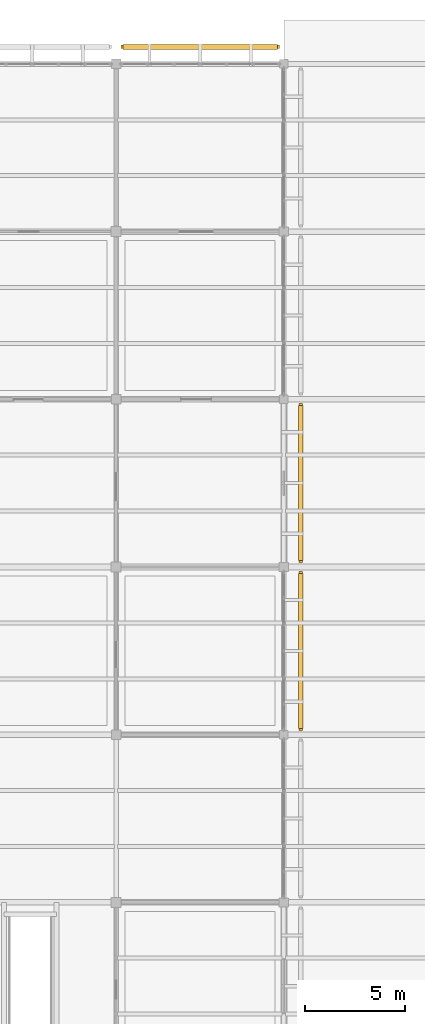
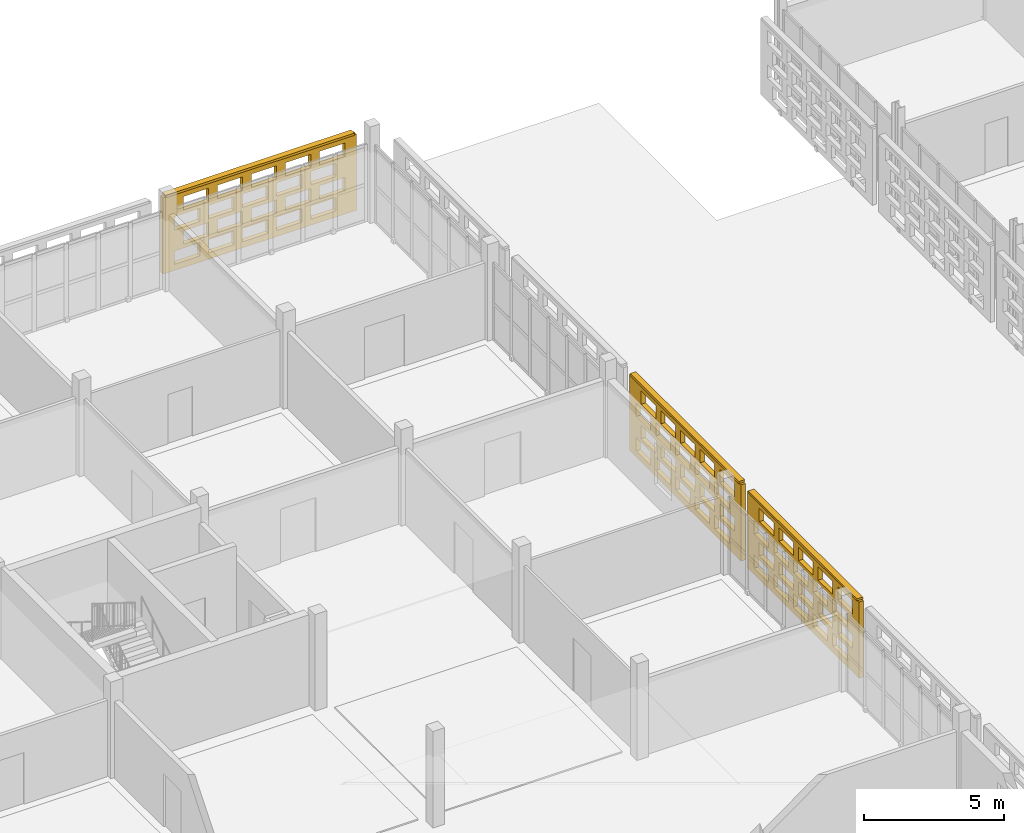
# One storey, part 136 of 166: 3 coverings, 3 shading devices, 60 openings.
"""IFC4 building model written with IfcOpenShell, lengths in metres."""

from ifc_helpers import new_model, si_unit, direction, frame, frame_2d, origin, origin_2d, place, context, subcontext, project, spatial, rectangle, extrude, material, layer, layer_set, type_object, element, save


model = new_model("IFC4")

# Units and contexts
model_context = context("Model", 3, precision=1e-05, world=origin(), true_north=direction((0.0, 1.0)))
body_context = subcontext(model_context, "Body", "Model", "MODEL_VIEW")
ifc_project = project(units=[si_unit("LENGTHUNIT", "METRE"), si_unit("AREAUNIT", "SQUARE_METRE"), si_unit("VOLUMEUNIT", "CUBIC_METRE"), si_unit("PLANEANGLEUNIT", "RADIAN"), si_unit("MASSUNIT", "GRAM", prefix="KILO")], contexts=[model_context])

# Site, building, storey
site_placement = place(None, origin())
site = spatial("IfcSite", under=ifc_project, at=site_placement, CompositionType="ELEMENT")
building_placement = place(site_placement, origin())
building = spatial("IfcBuilding", under=site, at=building_placement, Name="Varnapada Polytechnic", CompositionType="ELEMENT")
storey_placement = place(building_placement, frame((0.0, 0.0, 9.60009765625)))
storey = spatial("IfcBuildingStorey", under=building, at=storey_placement, Name="L02", CompositionType="ELEMENT", Elevation=9.60009765625)

# Covering, openings
ifc_material = material(Name="Earth-toned architectural terracotta screen block", Category="masonry")
ifc_layer_1 = layer(ifc_material, 0.1201171875)
ifc_layer_set_1 = layer_set([ifc_layer_1], Name="Earth-toned architectural terracotta screen block")
covering_type = type_object("IfcCoveringType", Name="Terracotta Screen Cladding CLD-01", PredefinedType="CLADDING", material=ifc_layer_set_1)
covering_1_placement = place(storey_placement, frame((34.449951171875, 100.570068359375, 0.0), z_axis=(0.0, 0.0, 1.0), x_axis=(0.0, -1.0, 0.0)))
covering_1 = element("IfcCovering", 1, at=covering_1_placement, inside=storey, type_object=covering_type, Name="L02 perforated terracotta block screen (29)", PredefinedType="CLADDING", context=body_context, shape_type="SweptSolid", body=[
    extrude(rectangle(XDim=7.949951171875, YDim=0.179931640625, at=frame_2d((3.97509765625, 0.0))), origin(), (0.0, 0.0, 1.0), 3.31982421875),
])
opening_1_placement = place(covering_1_placement, frame((0.47509765625, 0.0, 0.265625)))
element("IfcOpeningElement", 2, at=opening_1_placement, cuts=covering_1, Name="Screen perforation TBS-L02-028.1", PredefinedType="OPENING", context=body_context, shape_type="SweptSolid", body=[
    extrude(rectangle(XDim=1.0400390625, YDim=0.5810546875, at=frame_2d((0.52001953125, 0.29052734375))), frame((0.0, 0.099853515625, 0.0), z_axis=(0.0, -1.0, 0.0), x_axis=(1.0, 0.0, 0.0)), (0.0, 0.0, 1.0), 0.199951171875),
])
opening_2_placement = place(covering_1_placement, frame((1.875, 0.0, 0.265625)))
element("IfcOpeningElement", 3, at=opening_2_placement, cuts=covering_1, Name="Screen perforation TBS-L02-028.2", PredefinedType="OPENING", context=body_context, shape_type="SweptSolid", body=[
    extrude(rectangle(XDim=1.0400390625, YDim=0.5810546875, at=frame_2d((0.52001953125, 0.29052734375))), frame((0.0, 0.099853515625, 0.0), z_axis=(0.0, -1.0, 0.0), x_axis=(1.0, 0.0, 0.0)), (0.0, 0.0, 1.0), 0.199951171875),
])
opening_3_placement = place(covering_1_placement, frame((3.27490234375, 0.0, 0.265625)))
element("IfcOpeningElement", 4, at=opening_3_placement, cuts=covering_1, Name="Screen perforation TBS-L02-028.3", PredefinedType="OPENING", context=body_context, shape_type="SweptSolid", body=[
    extrude(rectangle(XDim=1.0400390625, YDim=0.5810546875, at=frame_2d((0.52001953125, 0.29052734375))), frame((0.0, 0.099853515625, 0.0), z_axis=(0.0, -1.0, 0.0), x_axis=(1.0, 0.0, 0.0)), (0.0, 0.0, 1.0), 0.199951171875),
])
opening_4_placement = place(covering_1_placement, frame((4.675048828125, 0.0, 0.265625)))
element("IfcOpeningElement", 5, at=opening_4_placement, cuts=covering_1, Name="Screen perforation TBS-L02-028.4", PredefinedType="OPENING", context=body_context, shape_type="SweptSolid", body=[
    extrude(rectangle(XDim=1.0400390625, YDim=0.5810546875, at=frame_2d((0.52001953125, 0.29052734375))), frame((0.0, 0.099853515625, 0.0), z_axis=(0.0, -1.0, 0.0), x_axis=(1.0, 0.0, 0.0)), (0.0, 0.0, 1.0), 0.199951171875),
])
opening_5_placement = place(covering_1_placement, frame((6.074951171875, 0.0, 0.265625)))
element("IfcOpeningElement", 6, at=opening_5_placement, cuts=covering_1, Name="Screen perforation TBS-L02-028.5", PredefinedType="OPENING", context=body_context, shape_type="SweptSolid", body=[
    extrude(rectangle(XDim=1.0400390625, YDim=0.5810546875, at=frame_2d((0.52001953125, 0.29052734375))), frame((0.0, 0.099853515625, 0.0), z_axis=(0.0, -1.0, 0.0), x_axis=(1.0, 0.0, 0.0)), (0.0, 0.0, 1.0), 0.199951171875),
])
opening_6_placement = place(covering_1_placement, frame((0.8349609375, 0.0, 1.0126953125)))
element("IfcOpeningElement", 7, at=opening_6_placement, cuts=covering_1, Name="Screen perforation TBS-L02-028.6", PredefinedType="OPENING", context=body_context, shape_type="SweptSolid", body=[
    extrude(rectangle(XDim=1.0400390625, YDim=0.5810546875, at=frame_2d((0.52001953125, 0.29052734375))), frame((0.0, 0.099853515625, 0.0), z_axis=(0.0, -1.0, 0.0), x_axis=(1.0, 0.0, 0.0)), (0.0, 0.0, 1.0), 0.199951171875),
])
opening_7_placement = place(covering_1_placement, frame((2.235107421875, 0.0, 1.0126953125)))
element("IfcOpeningElement", 8, at=opening_7_placement, cuts=covering_1, Name="Screen perforation TBS-L02-028.7", PredefinedType="OPENING", context=body_context, shape_type="SweptSolid", body=[
    extrude(rectangle(XDim=1.0400390625, YDim=0.5810546875, at=frame_2d((0.52001953125, 0.29052734375))), frame((0.0, 0.099853515625, 0.0), z_axis=(0.0, -1.0, 0.0), x_axis=(1.0, 0.0, 0.0)), (0.0, 0.0, 1.0), 0.199951171875),
])
opening_8_placement = place(covering_1_placement, frame((3.635009765625, 0.0, 1.0126953125)))
element("IfcOpeningElement", 9, at=opening_8_placement, cuts=covering_1, Name="Screen perforation TBS-L02-028.8", PredefinedType="OPENING", context=body_context, shape_type="SweptSolid", body=[
    extrude(rectangle(XDim=1.0400390625, YDim=0.5810546875, at=frame_2d((0.52001953125, 0.29052734375))), frame((0.0, 0.099853515625, 0.0), z_axis=(0.0, -1.0, 0.0), x_axis=(1.0, 0.0, 0.0)), (0.0, 0.0, 1.0), 0.199951171875),
])
opening_9_placement = place(covering_1_placement, frame((5.034912109375, 0.0, 1.0126953125)))
element("IfcOpeningElement", 10, at=opening_9_placement, cuts=covering_1, Name="Screen perforation TBS-L02-028.9", PredefinedType="OPENING", context=body_context, shape_type="SweptSolid", body=[
    extrude(rectangle(XDim=1.0400390625, YDim=0.5810546875, at=frame_2d((0.52001953125, 0.29052734375))), frame((0.0, 0.099853515625, 0.0), z_axis=(0.0, -1.0, 0.0), x_axis=(1.0, 0.0, 0.0)), (0.0, 0.0, 1.0), 0.199951171875),
])
opening_10_placement = place(covering_1_placement, frame((6.43505859375, 0.0, 1.0126953125)))
element("IfcOpeningElement", 11, at=opening_10_placement, cuts=covering_1, Name="Screen perforation TBS-L02-028.10", PredefinedType="OPENING", context=body_context, shape_type="SweptSolid", body=[
    extrude(rectangle(XDim=1.0400390625, YDim=0.5810546875, at=frame_2d((0.52001953125, 0.29052734375))), frame((0.0, 0.099853515625, 0.0), z_axis=(0.0, -1.0, 0.0), x_axis=(1.0, 0.0, 0.0)), (0.0, 0.0, 1.0), 0.199951171875),
])
opening_11_placement = place(covering_1_placement, frame((0.47509765625, 0.0, 1.759521484375)))
element("IfcOpeningElement", 12, at=opening_11_placement, cuts=covering_1, Name="Screen perforation TBS-L02-028.11", PredefinedType="OPENING", context=body_context, shape_type="SweptSolid", body=[
    extrude(rectangle(XDim=1.0400390625, YDim=0.5810546875, at=frame_2d((0.52001953125, 0.29052734375))), frame((0.0, 0.099853515625, 0.0), z_axis=(0.0, -1.0, 0.0), x_axis=(1.0, 0.0, 0.0)), (0.0, 0.0, 1.0), 0.199951171875),
])
opening_12_placement = place(covering_1_placement, frame((1.875, 0.0, 1.759521484375)))
element("IfcOpeningElement", 13, at=opening_12_placement, cuts=covering_1, Name="Screen perforation TBS-L02-028.12", PredefinedType="OPENING", context=body_context, shape_type="SweptSolid", body=[
    extrude(rectangle(XDim=1.0400390625, YDim=0.5810546875, at=frame_2d((0.52001953125, 0.29052734375))), frame((0.0, 0.099853515625, 0.0), z_axis=(0.0, -1.0, 0.0), x_axis=(1.0, 0.0, 0.0)), (0.0, 0.0, 1.0), 0.199951171875),
])
opening_13_placement = place(covering_1_placement, frame((3.27490234375, 0.0, 1.759521484375)))
element("IfcOpeningElement", 14, at=opening_13_placement, cuts=covering_1, Name="Screen perforation TBS-L02-028.13", PredefinedType="OPENING", context=body_context, shape_type="SweptSolid", body=[
    extrude(rectangle(XDim=1.0400390625, YDim=0.5810546875, at=frame_2d((0.52001953125, 0.29052734375))), frame((0.0, 0.099853515625, 0.0), z_axis=(0.0, -1.0, 0.0), x_axis=(1.0, 0.0, 0.0)), (0.0, 0.0, 1.0), 0.199951171875),
])
opening_14_placement = place(covering_1_placement, frame((4.675048828125, 0.0, 1.759521484375)))
element("IfcOpeningElement", 15, at=opening_14_placement, cuts=covering_1, Name="Screen perforation TBS-L02-028.14", PredefinedType="OPENING", context=body_context, shape_type="SweptSolid", body=[
    extrude(rectangle(XDim=1.0400390625, YDim=0.5810546875, at=frame_2d((0.52001953125, 0.29052734375))), frame((0.0, 0.099853515625, 0.0), z_axis=(0.0, -1.0, 0.0), x_axis=(1.0, 0.0, 0.0)), (0.0, 0.0, 1.0), 0.199951171875),
])
opening_15_placement = place(covering_1_placement, frame((6.074951171875, 0.0, 1.759521484375)))
element("IfcOpeningElement", 16, at=opening_15_placement, cuts=covering_1, Name="Screen perforation TBS-L02-028.15", PredefinedType="OPENING", context=body_context, shape_type="SweptSolid", body=[
    extrude(rectangle(XDim=1.0400390625, YDim=0.5810546875, at=frame_2d((0.52001953125, 0.29052734375))), frame((0.0, 0.099853515625, 0.0), z_axis=(0.0, -1.0, 0.0), x_axis=(1.0, 0.0, 0.0)), (0.0, 0.0, 1.0), 0.199951171875),
])
opening_16_placement = place(covering_1_placement, frame((0.8349609375, 0.0, 2.506591796875)))
element("IfcOpeningElement", 17, at=opening_16_placement, cuts=covering_1, Name="Screen perforation TBS-L02-028.16", PredefinedType="OPENING", context=body_context, shape_type="SweptSolid", body=[
    extrude(rectangle(XDim=1.0400390625, YDim=0.5810546875, at=frame_2d((0.52001953125, 0.29052734375))), frame((0.0, 0.099853515625, 0.0), z_axis=(0.0, -1.0, 0.0), x_axis=(1.0, 0.0, 0.0)), (0.0, 0.0, 1.0), 0.199951171875),
])
opening_17_placement = place(covering_1_placement, frame((2.235107421875, 0.0, 2.506591796875)))
element("IfcOpeningElement", 18, at=opening_17_placement, cuts=covering_1, Name="Screen perforation TBS-L02-028.17", PredefinedType="OPENING", context=body_context, shape_type="SweptSolid", body=[
    extrude(rectangle(XDim=1.0400390625, YDim=0.5810546875, at=frame_2d((0.52001953125, 0.29052734375))), frame((0.0, 0.099853515625, 0.0), z_axis=(0.0, -1.0, 0.0), x_axis=(1.0, 0.0, 0.0)), (0.0, 0.0, 1.0), 0.199951171875),
])
opening_18_placement = place(covering_1_placement, frame((3.635009765625, 0.0, 2.506591796875)))
element("IfcOpeningElement", 19, at=opening_18_placement, cuts=covering_1, Name="Screen perforation TBS-L02-028.18", PredefinedType="OPENING", context=body_context, shape_type="SweptSolid", body=[
    extrude(rectangle(XDim=1.0400390625, YDim=0.5810546875, at=frame_2d((0.52001953125, 0.29052734375))), frame((0.0, 0.099853515625, 0.0), z_axis=(0.0, -1.0, 0.0), x_axis=(1.0, 0.0, 0.0)), (0.0, 0.0, 1.0), 0.199951171875),
])
opening_19_placement = place(covering_1_placement, frame((5.034912109375, 0.0, 2.506591796875)))
element("IfcOpeningElement", 20, at=opening_19_placement, cuts=covering_1, Name="Screen perforation TBS-L02-028.19", PredefinedType="OPENING", context=body_context, shape_type="SweptSolid", body=[
    extrude(rectangle(XDim=1.0400390625, YDim=0.5810546875, at=frame_2d((0.52001953125, 0.29052734375))), frame((0.0, 0.099853515625, 0.0), z_axis=(0.0, -1.0, 0.0), x_axis=(1.0, 0.0, 0.0)), (0.0, 0.0, 1.0), 0.199951171875),
])
opening_20_placement = place(covering_1_placement, frame((6.43505859375, 0.0, 2.506591796875)))
element("IfcOpeningElement", 21, at=opening_20_placement, cuts=covering_1, Name="Screen perforation TBS-L02-028.20", PredefinedType="OPENING", context=body_context, shape_type="SweptSolid", body=[
    extrude(rectangle(XDim=1.0400390625, YDim=0.5810546875, at=frame_2d((0.52001953125, 0.29052734375))), frame((0.0, 0.099853515625, 0.0), z_axis=(0.0, -1.0, 0.0), x_axis=(1.0, 0.0, 0.0)), (0.0, 0.0, 1.0), 0.199951171875),
])

covering_2_placement = place(storey_placement, frame((34.449951171875, 108.97998046875, 0.0), z_axis=(0.0, 0.0, 1.0), x_axis=(0.0, -1.0, 0.0)))
covering_2 = element("IfcCovering", 22, at=covering_2_placement, inside=storey, type_object=covering_type, Name="L02 perforated terracotta block screen (30)", PredefinedType="CLADDING", context=body_context, shape_type="SweptSolid", body=[
    extrude(rectangle(XDim=7.949951171875, YDim=0.179931640625, at=frame_2d((3.97509765625, 0.0))), origin(), (0.0, 0.0, 1.0), 3.31982421875),
])
opening_21_placement = place(covering_2_placement, frame((0.47509765625, 0.0, 0.265625)))
element("IfcOpeningElement", 23, at=opening_21_placement, cuts=covering_2, Name="Screen perforation TBS-L02-029.1", PredefinedType="OPENING", context=body_context, shape_type="SweptSolid", body=[
    extrude(rectangle(XDim=1.0400390625, YDim=0.5810546875, at=frame_2d((0.52001953125, 0.29052734375))), frame((0.0, 0.099853515625, 0.0), z_axis=(0.0, -1.0, 0.0), x_axis=(1.0, 0.0, 0.0)), (0.0, 0.0, 1.0), 0.199951171875),
])
opening_22_placement = place(covering_2_placement, frame((1.875, 0.0, 0.265625)))
element("IfcOpeningElement", 24, at=opening_22_placement, cuts=covering_2, Name="Screen perforation TBS-L02-029.2", PredefinedType="OPENING", context=body_context, shape_type="SweptSolid", body=[
    extrude(rectangle(XDim=1.0400390625, YDim=0.5810546875, at=frame_2d((0.52001953125, 0.29052734375))), frame((0.0, 0.099853515625, 0.0), z_axis=(0.0, -1.0, 0.0), x_axis=(1.0, 0.0, 0.0)), (0.0, 0.0, 1.0), 0.199951171875),
])
opening_23_placement = place(covering_2_placement, frame((3.27490234375, 0.0, 0.265625)))
element("IfcOpeningElement", 25, at=opening_23_placement, cuts=covering_2, Name="Screen perforation TBS-L02-029.3", PredefinedType="OPENING", context=body_context, shape_type="SweptSolid", body=[
    extrude(rectangle(XDim=1.0400390625, YDim=0.5810546875, at=frame_2d((0.52001953125, 0.29052734375))), frame((0.0, 0.099853515625, 0.0), z_axis=(0.0, -1.0, 0.0), x_axis=(1.0, 0.0, 0.0)), (0.0, 0.0, 1.0), 0.199951171875),
])
opening_24_placement = place(covering_2_placement, frame((4.675048828125, 0.0, 0.265625)))
element("IfcOpeningElement", 26, at=opening_24_placement, cuts=covering_2, Name="Screen perforation TBS-L02-029.4", PredefinedType="OPENING", context=body_context, shape_type="SweptSolid", body=[
    extrude(rectangle(XDim=1.0400390625, YDim=0.5810546875, at=frame_2d((0.52001953125, 0.29052734375))), frame((0.0, 0.099853515625, 0.0), z_axis=(0.0, -1.0, 0.0), x_axis=(1.0, 0.0, 0.0)), (0.0, 0.0, 1.0), 0.199951171875),
])
opening_25_placement = place(covering_2_placement, frame((6.074951171875, 0.0, 0.265625)))
element("IfcOpeningElement", 27, at=opening_25_placement, cuts=covering_2, Name="Screen perforation TBS-L02-029.5", PredefinedType="OPENING", context=body_context, shape_type="SweptSolid", body=[
    extrude(rectangle(XDim=1.0400390625, YDim=0.5810546875, at=frame_2d((0.52001953125, 0.29052734375))), frame((0.0, 0.099853515625, 0.0), z_axis=(0.0, -1.0, 0.0), x_axis=(1.0, 0.0, 0.0)), (0.0, 0.0, 1.0), 0.199951171875),
])
opening_26_placement = place(covering_2_placement, frame((0.8349609375, 0.0, 1.0126953125)))
element("IfcOpeningElement", 28, at=opening_26_placement, cuts=covering_2, Name="Screen perforation TBS-L02-029.6", PredefinedType="OPENING", context=body_context, shape_type="SweptSolid", body=[
    extrude(rectangle(XDim=1.0400390625, YDim=0.5810546875, at=frame_2d((0.52001953125, 0.29052734375))), frame((0.0, 0.099853515625, 0.0), z_axis=(0.0, -1.0, 0.0), x_axis=(1.0, 0.0, 0.0)), (0.0, 0.0, 1.0), 0.199951171875),
])
opening_27_placement = place(covering_2_placement, frame((2.235107421875, 0.0, 1.0126953125)))
element("IfcOpeningElement", 29, at=opening_27_placement, cuts=covering_2, Name="Screen perforation TBS-L02-029.7", PredefinedType="OPENING", context=body_context, shape_type="SweptSolid", body=[
    extrude(rectangle(XDim=1.0400390625, YDim=0.5810546875, at=frame_2d((0.52001953125, 0.29052734375))), frame((0.0, 0.099853515625, 0.0), z_axis=(0.0, -1.0, 0.0), x_axis=(1.0, 0.0, 0.0)), (0.0, 0.0, 1.0), 0.199951171875),
])
opening_28_placement = place(covering_2_placement, frame((3.635009765625, 0.0, 1.0126953125)))
element("IfcOpeningElement", 30, at=opening_28_placement, cuts=covering_2, Name="Screen perforation TBS-L02-029.8", PredefinedType="OPENING", context=body_context, shape_type="SweptSolid", body=[
    extrude(rectangle(XDim=1.0400390625, YDim=0.5810546875, at=frame_2d((0.52001953125, 0.29052734375))), frame((0.0, 0.099853515625, 0.0), z_axis=(0.0, -1.0, 0.0), x_axis=(1.0, 0.0, 0.0)), (0.0, 0.0, 1.0), 0.199951171875),
])
opening_29_placement = place(covering_2_placement, frame((5.034912109375, 0.0, 1.0126953125)))
element("IfcOpeningElement", 31, at=opening_29_placement, cuts=covering_2, Name="Screen perforation TBS-L02-029.9", PredefinedType="OPENING", context=body_context, shape_type="SweptSolid", body=[
    extrude(rectangle(XDim=1.0400390625, YDim=0.5810546875, at=frame_2d((0.52001953125, 0.29052734375))), frame((0.0, 0.099853515625, 0.0), z_axis=(0.0, -1.0, 0.0), x_axis=(1.0, 0.0, 0.0)), (0.0, 0.0, 1.0), 0.199951171875),
])
opening_30_placement = place(covering_2_placement, frame((6.43505859375, 0.0, 1.0126953125)))
element("IfcOpeningElement", 32, at=opening_30_placement, cuts=covering_2, Name="Screen perforation TBS-L02-029.10", PredefinedType="OPENING", context=body_context, shape_type="SweptSolid", body=[
    extrude(rectangle(XDim=1.0400390625, YDim=0.5810546875, at=frame_2d((0.52001953125, 0.29052734375))), frame((0.0, 0.099853515625, 0.0), z_axis=(0.0, -1.0, 0.0), x_axis=(1.0, 0.0, 0.0)), (0.0, 0.0, 1.0), 0.199951171875),
])
opening_31_placement = place(covering_2_placement, frame((0.47509765625, 0.0, 1.759521484375)))
element("IfcOpeningElement", 33, at=opening_31_placement, cuts=covering_2, Name="Screen perforation TBS-L02-029.11", PredefinedType="OPENING", context=body_context, shape_type="SweptSolid", body=[
    extrude(rectangle(XDim=1.0400390625, YDim=0.5810546875, at=frame_2d((0.52001953125, 0.29052734375))), frame((0.0, 0.099853515625, 0.0), z_axis=(0.0, -1.0, 0.0), x_axis=(1.0, 0.0, 0.0)), (0.0, 0.0, 1.0), 0.199951171875),
])
opening_32_placement = place(covering_2_placement, frame((1.875, 0.0, 1.759521484375)))
element("IfcOpeningElement", 34, at=opening_32_placement, cuts=covering_2, Name="Screen perforation TBS-L02-029.12", PredefinedType="OPENING", context=body_context, shape_type="SweptSolid", body=[
    extrude(rectangle(XDim=1.0400390625, YDim=0.5810546875, at=frame_2d((0.52001953125, 0.29052734375))), frame((0.0, 0.099853515625, 0.0), z_axis=(0.0, -1.0, 0.0), x_axis=(1.0, 0.0, 0.0)), (0.0, 0.0, 1.0), 0.199951171875),
])
opening_33_placement = place(covering_2_placement, frame((3.27490234375, 0.0, 1.759521484375)))
element("IfcOpeningElement", 35, at=opening_33_placement, cuts=covering_2, Name="Screen perforation TBS-L02-029.13", PredefinedType="OPENING", context=body_context, shape_type="SweptSolid", body=[
    extrude(rectangle(XDim=1.0400390625, YDim=0.5810546875, at=frame_2d((0.52001953125, 0.29052734375))), frame((0.0, 0.099853515625, 0.0), z_axis=(0.0, -1.0, 0.0), x_axis=(1.0, 0.0, 0.0)), (0.0, 0.0, 1.0), 0.199951171875),
])
opening_34_placement = place(covering_2_placement, frame((4.675048828125, 0.0, 1.759521484375)))
element("IfcOpeningElement", 36, at=opening_34_placement, cuts=covering_2, Name="Screen perforation TBS-L02-029.14", PredefinedType="OPENING", context=body_context, shape_type="SweptSolid", body=[
    extrude(rectangle(XDim=1.0400390625, YDim=0.5810546875, at=frame_2d((0.52001953125, 0.29052734375))), frame((0.0, 0.099853515625, 0.0), z_axis=(0.0, -1.0, 0.0), x_axis=(1.0, 0.0, 0.0)), (0.0, 0.0, 1.0), 0.199951171875),
])
opening_35_placement = place(covering_2_placement, frame((6.074951171875, 0.0, 1.759521484375)))
element("IfcOpeningElement", 37, at=opening_35_placement, cuts=covering_2, Name="Screen perforation TBS-L02-029.15", PredefinedType="OPENING", context=body_context, shape_type="SweptSolid", body=[
    extrude(rectangle(XDim=1.0400390625, YDim=0.5810546875, at=frame_2d((0.52001953125, 0.29052734375))), frame((0.0, 0.099853515625, 0.0), z_axis=(0.0, -1.0, 0.0), x_axis=(1.0, 0.0, 0.0)), (0.0, 0.0, 1.0), 0.199951171875),
])
opening_36_placement = place(covering_2_placement, frame((0.8349609375, 0.0, 2.506591796875)))
element("IfcOpeningElement", 38, at=opening_36_placement, cuts=covering_2, Name="Screen perforation TBS-L02-029.16", PredefinedType="OPENING", context=body_context, shape_type="SweptSolid", body=[
    extrude(rectangle(XDim=1.0400390625, YDim=0.5810546875, at=frame_2d((0.52001953125, 0.29052734375))), frame((0.0, 0.099853515625, 0.0), z_axis=(0.0, -1.0, 0.0), x_axis=(1.0, 0.0, 0.0)), (0.0, 0.0, 1.0), 0.199951171875),
])
opening_37_placement = place(covering_2_placement, frame((2.235107421875, 0.0, 2.506591796875)))
element("IfcOpeningElement", 39, at=opening_37_placement, cuts=covering_2, Name="Screen perforation TBS-L02-029.17", PredefinedType="OPENING", context=body_context, shape_type="SweptSolid", body=[
    extrude(rectangle(XDim=1.0400390625, YDim=0.5810546875, at=frame_2d((0.52001953125, 0.29052734375))), frame((0.0, 0.099853515625, 0.0), z_axis=(0.0, -1.0, 0.0), x_axis=(1.0, 0.0, 0.0)), (0.0, 0.0, 1.0), 0.199951171875),
])
opening_38_placement = place(covering_2_placement, frame((3.635009765625, 0.0, 2.506591796875)))
element("IfcOpeningElement", 40, at=opening_38_placement, cuts=covering_2, Name="Screen perforation TBS-L02-029.18", PredefinedType="OPENING", context=body_context, shape_type="SweptSolid", body=[
    extrude(rectangle(XDim=1.0400390625, YDim=0.5810546875, at=frame_2d((0.52001953125, 0.29052734375))), frame((0.0, 0.099853515625, 0.0), z_axis=(0.0, -1.0, 0.0), x_axis=(1.0, 0.0, 0.0)), (0.0, 0.0, 1.0), 0.199951171875),
])
opening_39_placement = place(covering_2_placement, frame((5.034912109375, 0.0, 2.506591796875)))
element("IfcOpeningElement", 41, at=opening_39_placement, cuts=covering_2, Name="Screen perforation TBS-L02-029.19", PredefinedType="OPENING", context=body_context, shape_type="SweptSolid", body=[
    extrude(rectangle(XDim=1.0400390625, YDim=0.5810546875, at=frame_2d((0.52001953125, 0.29052734375))), frame((0.0, 0.099853515625, 0.0), z_axis=(0.0, -1.0, 0.0), x_axis=(1.0, 0.0, 0.0)), (0.0, 0.0, 1.0), 0.199951171875),
])
opening_40_placement = place(covering_2_placement, frame((6.43505859375, 0.0, 2.506591796875)))
element("IfcOpeningElement", 42, at=opening_40_placement, cuts=covering_2, Name="Screen perforation TBS-L02-029.20", PredefinedType="OPENING", context=body_context, shape_type="SweptSolid", body=[
    extrude(rectangle(XDim=1.0400390625, YDim=0.5810546875, at=frame_2d((0.52001953125, 0.29052734375))), frame((0.0, 0.099853515625, 0.0), z_axis=(0.0, -1.0, 0.0), x_axis=(1.0, 0.0, 0.0)), (0.0, 0.0, 1.0), 0.199951171875),
])

covering_3_placement = place(storey_placement, frame((25.43994140625, 126.85009765625, 0.0), z_axis=(0.0, 0.0, 1.0), x_axis=(1.0, 0.0, 0.0)))
covering_3 = element("IfcCovering", 43, at=covering_3_placement, inside=storey, type_object=covering_type, Name="L02 perforated terracotta block screen (32)", PredefinedType="CLADDING", context=body_context, shape_type="SweptSolid", body=[
    extrude(rectangle(XDim=7.949951171875, YDim=0.179931640625, at=frame_2d((3.97509765625, 0.0))), origin(), (0.0, 0.0, 1.0), 3.31982421875),
])
opening_41_placement = place(covering_3_placement, frame((0.47509765625, 0.0, 0.265625)))
element("IfcOpeningElement", 44, at=opening_41_placement, cuts=covering_3, Name="Screen perforation TBS-L02-031.1", PredefinedType="OPENING", context=body_context, shape_type="SweptSolid", body=[
    extrude(rectangle(XDim=1.0400390625, YDim=0.5810546875, at=frame_2d((0.52001953125, 0.29052734375))), frame((0.0, 0.099853515625, 0.0), z_axis=(0.0, -1.0, 0.0), x_axis=(1.0, 0.0, 0.0)), (0.0, 0.0, 1.0), 0.199951171875),
])
opening_42_placement = place(covering_3_placement, frame((1.875, 0.0, 0.265625)))
element("IfcOpeningElement", 45, at=opening_42_placement, cuts=covering_3, Name="Screen perforation TBS-L02-031.2", PredefinedType="OPENING", context=body_context, shape_type="SweptSolid", body=[
    extrude(rectangle(XDim=1.0400390625, YDim=0.5810546875, at=frame_2d((0.52001953125, 0.29052734375))), frame((0.0, 0.099853515625, 0.0), z_axis=(0.0, -1.0, 0.0), x_axis=(1.0, 0.0, 0.0)), (0.0, 0.0, 1.0), 0.199951171875),
])
opening_43_placement = place(covering_3_placement, frame((3.27490234375, 0.0, 0.265625)))
element("IfcOpeningElement", 46, at=opening_43_placement, cuts=covering_3, Name="Screen perforation TBS-L02-031.3", PredefinedType="OPENING", context=body_context, shape_type="SweptSolid", body=[
    extrude(rectangle(XDim=1.0400390625, YDim=0.5810546875, at=frame_2d((0.52001953125, 0.29052734375))), frame((0.0, 0.099853515625, 0.0), z_axis=(0.0, -1.0, 0.0), x_axis=(1.0, 0.0, 0.0)), (0.0, 0.0, 1.0), 0.199951171875),
])
opening_44_placement = place(covering_3_placement, frame((4.675048828125, 0.0, 0.265625)))
element("IfcOpeningElement", 47, at=opening_44_placement, cuts=covering_3, Name="Screen perforation TBS-L02-031.4", PredefinedType="OPENING", context=body_context, shape_type="SweptSolid", body=[
    extrude(rectangle(XDim=1.0400390625, YDim=0.5810546875, at=frame_2d((0.52001953125, 0.29052734375))), frame((0.0, 0.099853515625, 0.0), z_axis=(0.0, -1.0, 0.0), x_axis=(1.0, 0.0, 0.0)), (0.0, 0.0, 1.0), 0.199951171875),
])
opening_45_placement = place(covering_3_placement, frame((6.074951171875, 0.0, 0.265625)))
element("IfcOpeningElement", 48, at=opening_45_placement, cuts=covering_3, Name="Screen perforation TBS-L02-031.5", PredefinedType="OPENING", context=body_context, shape_type="SweptSolid", body=[
    extrude(rectangle(XDim=1.0400390625, YDim=0.5810546875, at=frame_2d((0.52001953125, 0.29052734375))), frame((0.0, 0.099853515625, 0.0), z_axis=(0.0, -1.0, 0.0), x_axis=(1.0, 0.0, 0.0)), (0.0, 0.0, 1.0), 0.199951171875),
])
opening_46_placement = place(covering_3_placement, frame((0.8349609375, 0.0, 1.0126953125)))
element("IfcOpeningElement", 49, at=opening_46_placement, cuts=covering_3, Name="Screen perforation TBS-L02-031.6", PredefinedType="OPENING", context=body_context, shape_type="SweptSolid", body=[
    extrude(rectangle(XDim=1.0400390625, YDim=0.5810546875, at=frame_2d((0.52001953125, 0.29052734375))), frame((0.0, 0.099853515625, 0.0), z_axis=(0.0, -1.0, 0.0), x_axis=(1.0, 0.0, 0.0)), (0.0, 0.0, 1.0), 0.199951171875),
])
opening_47_placement = place(covering_3_placement, frame((2.235107421875, 0.0, 1.0126953125)))
element("IfcOpeningElement", 50, at=opening_47_placement, cuts=covering_3, Name="Screen perforation TBS-L02-031.7", PredefinedType="OPENING", context=body_context, shape_type="SweptSolid", body=[
    extrude(rectangle(XDim=1.0400390625, YDim=0.5810546875, at=frame_2d((0.52001953125, 0.29052734375))), frame((0.0, 0.099853515625, 0.0), z_axis=(0.0, -1.0, 0.0), x_axis=(1.0, 0.0, 0.0)), (0.0, 0.0, 1.0), 0.199951171875),
])
opening_48_placement = place(covering_3_placement, frame((3.635009765625, 0.0, 1.0126953125)))
element("IfcOpeningElement", 51, at=opening_48_placement, cuts=covering_3, Name="Screen perforation TBS-L02-031.8", PredefinedType="OPENING", context=body_context, shape_type="SweptSolid", body=[
    extrude(rectangle(XDim=1.0400390625, YDim=0.5810546875, at=frame_2d((0.52001953125, 0.29052734375))), frame((0.0, 0.099853515625, 0.0), z_axis=(0.0, -1.0, 0.0), x_axis=(1.0, 0.0, 0.0)), (0.0, 0.0, 1.0), 0.199951171875),
])
opening_49_placement = place(covering_3_placement, frame((5.034912109375, 0.0, 1.0126953125)))
element("IfcOpeningElement", 52, at=opening_49_placement, cuts=covering_3, Name="Screen perforation TBS-L02-031.9", PredefinedType="OPENING", context=body_context, shape_type="SweptSolid", body=[
    extrude(rectangle(XDim=1.0400390625, YDim=0.5810546875, at=frame_2d((0.52001953125, 0.29052734375))), frame((0.0, 0.099853515625, 0.0), z_axis=(0.0, -1.0, 0.0), x_axis=(1.0, 0.0, 0.0)), (0.0, 0.0, 1.0), 0.199951171875),
])
opening_50_placement = place(covering_3_placement, frame((6.43505859375, 0.0, 1.0126953125)))
element("IfcOpeningElement", 53, at=opening_50_placement, cuts=covering_3, Name="Screen perforation TBS-L02-031.10", PredefinedType="OPENING", context=body_context, shape_type="SweptSolid", body=[
    extrude(rectangle(XDim=1.0400390625, YDim=0.5810546875, at=frame_2d((0.52001953125, 0.29052734375))), frame((0.0, 0.099853515625, 0.0), z_axis=(0.0, -1.0, 0.0), x_axis=(1.0, 0.0, 0.0)), (0.0, 0.0, 1.0), 0.199951171875),
])
opening_51_placement = place(covering_3_placement, frame((0.47509765625, 0.0, 1.759521484375)))
element("IfcOpeningElement", 54, at=opening_51_placement, cuts=covering_3, Name="Screen perforation TBS-L02-031.11", PredefinedType="OPENING", context=body_context, shape_type="SweptSolid", body=[
    extrude(rectangle(XDim=1.0400390625, YDim=0.5810546875, at=frame_2d((0.52001953125, 0.29052734375))), frame((0.0, 0.099853515625, 0.0), z_axis=(0.0, -1.0, 0.0), x_axis=(1.0, 0.0, 0.0)), (0.0, 0.0, 1.0), 0.199951171875),
])
opening_52_placement = place(covering_3_placement, frame((1.875, 0.0, 1.759521484375)))
element("IfcOpeningElement", 55, at=opening_52_placement, cuts=covering_3, Name="Screen perforation TBS-L02-031.12", PredefinedType="OPENING", context=body_context, shape_type="SweptSolid", body=[
    extrude(rectangle(XDim=1.0400390625, YDim=0.5810546875, at=frame_2d((0.52001953125, 0.29052734375))), frame((0.0, 0.099853515625, 0.0), z_axis=(0.0, -1.0, 0.0), x_axis=(1.0, 0.0, 0.0)), (0.0, 0.0, 1.0), 0.199951171875),
])
opening_53_placement = place(covering_3_placement, frame((3.27490234375, 0.0, 1.759521484375)))
element("IfcOpeningElement", 56, at=opening_53_placement, cuts=covering_3, Name="Screen perforation TBS-L02-031.13", PredefinedType="OPENING", context=body_context, shape_type="SweptSolid", body=[
    extrude(rectangle(XDim=1.0400390625, YDim=0.5810546875, at=frame_2d((0.52001953125, 0.29052734375))), frame((0.0, 0.099853515625, 0.0), z_axis=(0.0, -1.0, 0.0), x_axis=(1.0, 0.0, 0.0)), (0.0, 0.0, 1.0), 0.199951171875),
])
opening_54_placement = place(covering_3_placement, frame((4.675048828125, 0.0, 1.759521484375)))
element("IfcOpeningElement", 57, at=opening_54_placement, cuts=covering_3, Name="Screen perforation TBS-L02-031.14", PredefinedType="OPENING", context=body_context, shape_type="SweptSolid", body=[
    extrude(rectangle(XDim=1.0400390625, YDim=0.5810546875, at=frame_2d((0.52001953125, 0.29052734375))), frame((0.0, 0.099853515625, 0.0), z_axis=(0.0, -1.0, 0.0), x_axis=(1.0, 0.0, 0.0)), (0.0, 0.0, 1.0), 0.199951171875),
])
opening_55_placement = place(covering_3_placement, frame((6.074951171875, 0.0, 1.759521484375)))
element("IfcOpeningElement", 58, at=opening_55_placement, cuts=covering_3, Name="Screen perforation TBS-L02-031.15", PredefinedType="OPENING", context=body_context, shape_type="SweptSolid", body=[
    extrude(rectangle(XDim=1.0400390625, YDim=0.5810546875, at=frame_2d((0.52001953125, 0.29052734375))), frame((0.0, 0.099853515625, 0.0), z_axis=(0.0, -1.0, 0.0), x_axis=(1.0, 0.0, 0.0)), (0.0, 0.0, 1.0), 0.199951171875),
])
opening_56_placement = place(covering_3_placement, frame((0.8349609375, 0.0, 2.506591796875)))
element("IfcOpeningElement", 59, at=opening_56_placement, cuts=covering_3, Name="Screen perforation TBS-L02-031.16", PredefinedType="OPENING", context=body_context, shape_type="SweptSolid", body=[
    extrude(rectangle(XDim=1.0400390625, YDim=0.5810546875, at=frame_2d((0.52001953125, 0.29052734375))), frame((0.0, 0.099853515625, 0.0), z_axis=(0.0, -1.0, 0.0), x_axis=(1.0, 0.0, 0.0)), (0.0, 0.0, 1.0), 0.199951171875),
])
opening_57_placement = place(covering_3_placement, frame((2.235107421875, 0.0, 2.506591796875)))
element("IfcOpeningElement", 60, at=opening_57_placement, cuts=covering_3, Name="Screen perforation TBS-L02-031.17", PredefinedType="OPENING", context=body_context, shape_type="SweptSolid", body=[
    extrude(rectangle(XDim=1.0400390625, YDim=0.5810546875, at=frame_2d((0.52001953125, 0.29052734375))), frame((0.0, 0.099853515625, 0.0), z_axis=(0.0, -1.0, 0.0), x_axis=(1.0, 0.0, 0.0)), (0.0, 0.0, 1.0), 0.199951171875),
])
opening_58_placement = place(covering_3_placement, frame((3.635009765625, 0.0, 2.506591796875)))
element("IfcOpeningElement", 61, at=opening_58_placement, cuts=covering_3, Name="Screen perforation TBS-L02-031.18", PredefinedType="OPENING", context=body_context, shape_type="SweptSolid", body=[
    extrude(rectangle(XDim=1.0400390625, YDim=0.5810546875, at=frame_2d((0.52001953125, 0.29052734375))), frame((0.0, 0.099853515625, 0.0), z_axis=(0.0, -1.0, 0.0), x_axis=(1.0, 0.0, 0.0)), (0.0, 0.0, 1.0), 0.199951171875),
])
opening_59_placement = place(covering_3_placement, frame((5.034912109375, 0.0, 2.506591796875)))
element("IfcOpeningElement", 62, at=opening_59_placement, cuts=covering_3, Name="Screen perforation TBS-L02-031.19", PredefinedType="OPENING", context=body_context, shape_type="SweptSolid", body=[
    extrude(rectangle(XDim=1.0400390625, YDim=0.5810546875, at=frame_2d((0.52001953125, 0.29052734375))), frame((0.0, 0.099853515625, 0.0), z_axis=(0.0, -1.0, 0.0), x_axis=(1.0, 0.0, 0.0)), (0.0, 0.0, 1.0), 0.199951171875),
])
opening_60_placement = place(covering_3_placement, frame((6.43505859375, 0.0, 2.506591796875)))
element("IfcOpeningElement", 63, at=opening_60_placement, cuts=covering_3, Name="Screen perforation TBS-L02-031.20", PredefinedType="OPENING", context=body_context, shape_type="SweptSolid", body=[
    extrude(rectangle(XDim=1.0400390625, YDim=0.5810546875, at=frame_2d((0.52001953125, 0.29052734375))), frame((0.0, 0.099853515625, 0.0), z_axis=(0.0, -1.0, 0.0), x_axis=(1.0, 0.0, 0.0)), (0.0, 0.0, 1.0), 0.199951171875),
])

# Shading devices
ifc_layer_2 = layer(ifc_material, 0.179931640625)
ifc_layer_set_2 = layer_set([ifc_layer_2], Name="Earth-toned architectural terracotta screen block")
shading_device_type = type_object("IfcShadingDeviceType", Name="Terracotta Screen SCR-01", PredefinedType="USERDEFINED", material=ifc_layer_set_2)
for number, where, z_axis, x_axis, name in (
    (64, (34.449951171875, 96.594970703125, 3.309814453125), (0.0, 0.0, 1.0), (0.0, -1.0, 0.0), "L02 perforated terracotta screen hood 258"),
    (65, (34.449951171875, 105.0048828125, 3.309814453125), (0.0, 0.0, 1.0), (0.0, -1.0, 0.0), "L02 perforated terracotta screen hood 259"),
    (66, (29.4150390625, 126.85009765625, 3.309814453125), (0.0, 0.0, 1.0), (1.0, 0.0, 0.0), "L02 perforated terracotta screen hood 261"),
):
    element("IfcShadingDevice", number, at=place(storey_placement, frame(where, z_axis=z_axis, x_axis=x_axis)), inside=storey, type_object=shading_device_type, Name=name, ObjectType="SCREEN", PredefinedType="USERDEFINED", context=body_context, shape_type="SweptSolid", body=[
        extrude(rectangle(XDim=7.75, YDim=0.239990234375, at=origin_2d()), origin(), (0.0, 0.0, 1.0), 0.10009765625),
    ])

save(model, "model.ifc")
